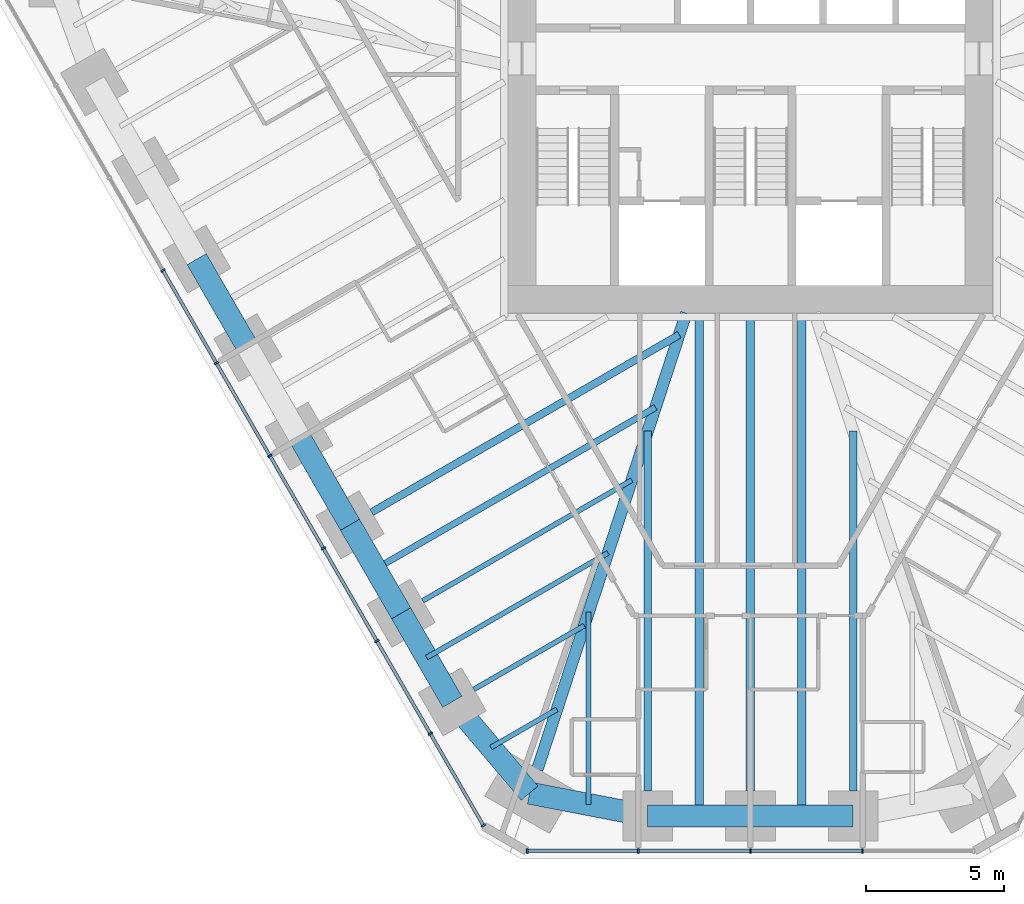
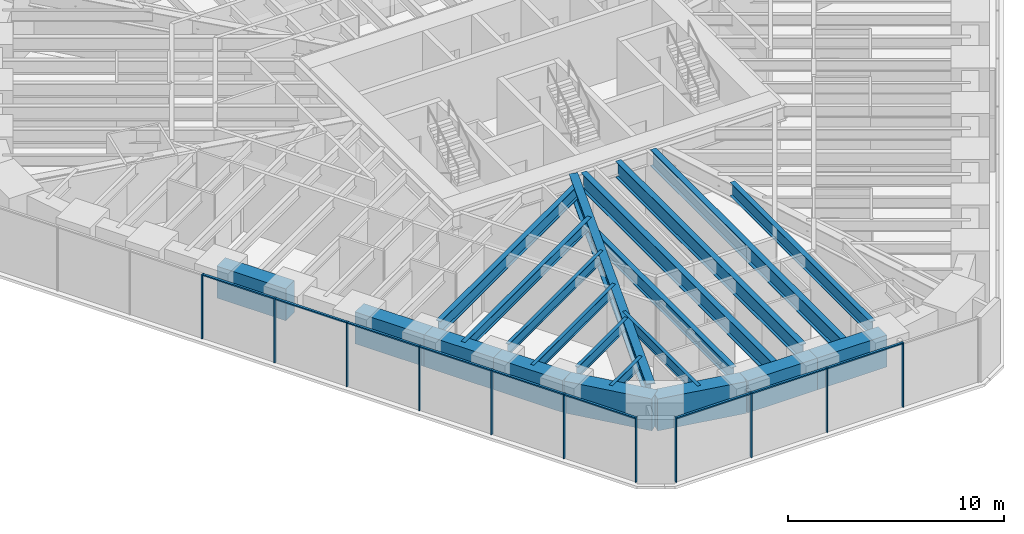
# One storey, part 2 of 16: 21 beams, 20 members, 2 elements without a shape of their own.
"""IFC4 building model written with IfcOpenShell, lengths in metres."""

from ifc_helpers import new_model, si_unit, direction, frame, origin, origin_2d, place, context, subcontext, project, spatial, rectangle, i_section, extrude, material, material_profile, profile_set, type_object, element, aggregate, save


model = new_model("IFC4")

# Units and contexts
model_context = context("Model", 3, precision=1e-05, world=origin(), true_north=direction((0.0, 1.0)))
body_context = subcontext(model_context, "Body", "Model", "MODEL_VIEW")
ifc_project = project(units=[si_unit("LENGTHUNIT", "METRE"), si_unit("AREAUNIT", "SQUARE_METRE"), si_unit("VOLUMEUNIT", "CUBIC_METRE"), si_unit("PLANEANGLEUNIT", "RADIAN"), si_unit("MASSUNIT", "GRAM", prefix="KILO")], contexts=[model_context])

# Site, building, storey
site_placement = place(None, origin())
site = spatial("IfcSite", under=ifc_project, at=site_placement, CompositionType="ELEMENT")
building_placement = place(site_placement, origin())
building = spatial("IfcBuilding", under=site, at=building_placement, Name="Sandreach Pilgrim Tower", CompositionType="ELEMENT")
storey_placement = place(building_placement, frame((0.0, 0.0, 183.199951171875)))
storey = spatial("IfcBuildingStorey", under=building, at=storey_placement, Name="L45", CompositionType="ELEMENT", Elevation=183.199951171875)

# Curtain wall, members
ifc_material_1 = material(Name="Aluminium framed curtain wall", Category="aluminium")
curtain_wall_type = type_object("IfcCurtainWallType", Name="Upper hotel tower curtain wall", PredefinedType="NOTDEFINED", material=ifc_material_1)
curtain_wall_1_placement = place(storey_placement, origin())
curtain_wall_1 = element("IfcCurtainWall", 1, at=curtain_wall_1_placement, inside=storey, type_object=curtain_wall_type, Name="CW-3 L45 S", PredefinedType="NOTDEFINED")
ifc_material_2 = material(Name="Aluminium extrusion", Category="aluminium")
ifc_material_profile_1 = material_profile(ifc_material_2, rectangle(XDim=0.06494140625, YDim=0.159912109375, at=origin_2d()), Name="CW-3M 65X160")
ifc_profile_set_1 = profile_set([ifc_material_profile_1], Name="Aluminium extrusion")
member_type_1 = type_object("IfcMemberType", Name="CW-3 mullion", PredefinedType="MULLION", material=ifc_profile_set_1)
member_1_placement = place(storey_placement, frame((4.048583984375, -26.525146484375, 0.0), z_axis=(0.0, 0.0, 1.0), x_axis=(-1.0, 0.0, 0.0)))
member_1 = element("IfcMember", 2, at=member_1_placement, type_object=member_type_1, Name="CW-3 mullion 2", PredefinedType="MULLION", context=body_context, shape_type="SweptSolid", body=[
    extrude(rectangle(XDim=0.06494140625, YDim=0.159912109375, at=origin_2d()), origin(), (0.0, 0.0, 1.0), 3.64013671875),
])
member_2_placement = place(storey_placement, frame((0.0, -26.525146484375, 0.0), z_axis=(0.0, 0.0, 1.0), x_axis=(-1.0, 0.0, 0.0)))
member_2 = element("IfcMember", 3, at=member_2_placement, type_object=member_type_1, Name="CW-3 mullion 3", PredefinedType="MULLION", context=body_context, shape_type="SweptSolid", body=[
    extrude(rectangle(XDim=0.06494140625, YDim=0.159912109375, at=origin_2d()), origin(), (0.0, 0.0, 1.0), 3.64013671875),
])
member_3_placement = place(storey_placement, frame((-4.048583984375, -26.525146484375, 0.0), z_axis=(0.0, 0.0, 1.0), x_axis=(-1.0, 0.0, 0.0)))
member_3 = element("IfcMember", 4, at=member_3_placement, type_object=member_type_1, Name="CW-3 mullion 4", PredefinedType="MULLION", context=body_context, shape_type="SweptSolid", body=[
    extrude(rectangle(XDim=0.06494140625, YDim=0.159912109375, at=origin_2d()), origin(), (0.0, 0.0, 1.0), 3.64013671875),
])
member_4_placement = place(storey_placement, frame((-8.06494140625, -26.525146484375, 0.0), z_axis=(0.0, 0.0, 1.0), x_axis=(-1.0, 0.0, 0.0)))
member_4 = element("IfcMember", 5, at=member_4_placement, type_object=member_type_1, Name="CW-3 mullion 5", PredefinedType="MULLION", context=body_context, shape_type="SweptSolid", body=[
    extrude(rectangle(XDim=0.06494140625, YDim=0.159912109375, at=origin_2d()), origin(), (0.0, 0.0, 1.0), 3.64013671875),
])

curtain_wall_2_placement = place(storey_placement, origin())
curtain_wall_2 = element("IfcCurtainWall", 6, at=curtain_wall_2_placement, inside=storey, type_object=curtain_wall_type, Name="CW-3 L45 SW", PredefinedType="NOTDEFINED")
member_5_placement = place(storey_placement, frame((-9.646484375, -25.612060546875, 0.0), z_axis=(0.0, 0.0, 1.0), x_axis=(-0.5, 0.866025403784, 0.0)))
member_5 = element("IfcMember", 7, at=member_5_placement, type_object=member_type_1, Name="CW-3 mullion 1", PredefinedType="MULLION", context=body_context, shape_type="SweptSolid", body=[
    extrude(rectangle(XDim=0.06494140625, YDim=0.159912109375, at=origin_2d()), origin(), (0.0, 0.0, 1.0), 3.64013671875),
])
member_6_placement = place(storey_placement, frame((-11.5625, -22.29345703125, 0.0), z_axis=(0.0, 0.0, 1.0), x_axis=(-0.5, 0.866025403784, 0.0)))
member_6 = element("IfcMember", 8, at=member_6_placement, type_object=member_type_1, Name="CW-3 mullion 2", PredefinedType="MULLION", context=body_context, shape_type="SweptSolid", body=[
    extrude(rectangle(XDim=0.06494140625, YDim=0.159912109375, at=origin_2d()), origin(), (0.0, 0.0, 1.0), 3.64013671875),
])
member_7_placement = place(storey_placement, frame((-13.49462890625, -18.94677734375, 0.0), z_axis=(0.0, 0.0, 1.0), x_axis=(-0.5, 0.866025403784, 0.0)))
member_7 = element("IfcMember", 9, at=member_7_placement, type_object=member_type_1, Name="CW-3 mullion 3", PredefinedType="MULLION", context=body_context, shape_type="SweptSolid", body=[
    extrude(rectangle(XDim=0.06494140625, YDim=0.159912109375, at=origin_2d()), origin(), (0.0, 0.0, 1.0), 3.64013671875),
])
member_8_placement = place(storey_placement, frame((-15.4267578125, -15.60009765625, 0.0), z_axis=(0.0, 0.0, 1.0), x_axis=(-0.5, 0.866025403784, 0.0)))
member_8 = element("IfcMember", 10, at=member_8_placement, type_object=member_type_1, Name="CW-3 mullion 4", PredefinedType="MULLION", context=body_context, shape_type="SweptSolid", body=[
    extrude(rectangle(XDim=0.06494140625, YDim=0.159912109375, at=origin_2d()), origin(), (0.0, 0.0, 1.0), 3.64013671875),
])
member_9_placement = place(storey_placement, frame((-17.359130859375, -12.25341796875, 0.0), z_axis=(0.0, 0.0, 1.0), x_axis=(-0.5, 0.866025403784, 0.0)))
member_9 = element("IfcMember", 11, at=member_9_placement, type_object=member_type_1, Name="CW-3 mullion 5", PredefinedType="MULLION", context=body_context, shape_type="SweptSolid", body=[
    extrude(rectangle(XDim=0.06494140625, YDim=0.159912109375, at=origin_2d()), origin(), (0.0, 0.0, 1.0), 3.64013671875),
])
member_10_placement = place(storey_placement, frame((-19.291259765625, -8.90673828125, 0.0), z_axis=(0.0, 0.0, 1.0), x_axis=(-0.5, 0.866025403784, 0.0)))
member_10 = element("IfcMember", 12, at=member_10_placement, type_object=member_type_1, Name="CW-3 mullion 6", PredefinedType="MULLION", context=body_context, shape_type="SweptSolid", body=[
    extrude(rectangle(XDim=0.06494140625, YDim=0.159912109375, at=origin_2d()), origin(), (0.0, 0.0, 1.0), 3.64013671875),
])
member_11_placement = place(storey_placement, frame((-21.223388671875, -5.56005859375, 0.0), z_axis=(0.0, 0.0, 1.0), x_axis=(-0.5, 0.866025403784, 0.0)))
member_11 = element("IfcMember", 13, at=member_11_placement, type_object=member_type_1, Name="CW-3 mullion 7", PredefinedType="MULLION", context=body_context, shape_type="SweptSolid", body=[
    extrude(rectangle(XDim=0.06494140625, YDim=0.159912109375, at=origin_2d()), origin(), (0.0, 0.0, 1.0), 3.64013671875),
])

# Member
ifc_material_3 = material(Name="Aluminium extrusion", Category="aluminium")
ifc_material_profile_2 = material_profile(ifc_material_3, rectangle(XDim=0.1201171875, YDim=0.070068359375, at=origin_2d()), Name="CW-3T 120X70")
ifc_profile_set_2 = profile_set([ifc_material_profile_2], Name="Aluminium extrusion")
member_type_2 = type_object("IfcMemberType", Name="CW-3 transom", PredefinedType="USERDEFINED", material=ifc_profile_set_2)
member_12_placement = place(storey_placement, frame((4.01611328125, -26.525146484375, 3.60498046875), z_axis=(-1.0, 0.0, 0.0), x_axis=(0.0, -1.0, 0.0)))
member_12 = element("IfcMember", 14, at=member_12_placement, type_object=member_type_2, Name="CW-3 head transom 2", ObjectType="TRANSOM", PredefinedType="USERDEFINED", context=body_context, shape_type="SweptSolid", body=[
    extrude(rectangle(XDim=0.1201171875, YDim=0.070068359375, at=origin_2d()), origin(), (0.0, 0.0, 1.0), 3.983642578125),
])

member_13_placement = place(storey_placement, frame((-0.032470703125, -26.525146484375, 3.60498046875), z_axis=(-1.0, 0.0, 0.0), x_axis=(0.0, -1.0, 0.0)))
member_13 = element("IfcMember", 15, at=member_13_placement, type_object=member_type_2, Name="CW-3 head transom 3", ObjectType="TRANSOM", PredefinedType="USERDEFINED", context=body_context, shape_type="SweptSolid", body=[
    extrude(rectangle(XDim=0.1201171875, YDim=0.070068359375, at=origin_2d()), origin(), (0.0, 0.0, 1.0), 3.983642578125),
])

member_14_placement = place(storey_placement, frame((-4.081298828125, -26.525146484375, 3.60498046875), z_axis=(-1.0, 0.0, 0.0), x_axis=(0.0, -1.0, 0.0)))
member_14 = element("IfcMember", 16, at=member_14_placement, type_object=member_type_2, Name="CW-3 head transom 4", ObjectType="TRANSOM", PredefinedType="USERDEFINED", context=body_context, shape_type="SweptSolid", body=[
    extrude(rectangle(XDim=0.1201171875, YDim=0.070068359375, at=origin_2d()), origin(), (0.0, 0.0, 1.0), 3.951171875),
])

aggregate(curtain_wall_1, [member_1, member_2, member_3, member_4, member_12, member_13, member_14])

member_15_placement = place(storey_placement, frame((-9.662841796875, -25.583740234375, 3.60498046875), z_axis=(-0.499973055223, 0.8660409598, 0.0), x_axis=(-0.8660409598, -0.499973055223, 0.0)))
member_15 = element("IfcMember", 17, at=member_15_placement, type_object=member_type_2, Name="CW-3 head transom 1", ObjectType="TRANSOM", PredefinedType="USERDEFINED", context=body_context, shape_type="SweptSolid", body=[
    extrude(rectangle(XDim=0.1201171875, YDim=0.070068359375, at=origin_2d()), origin(), (0.0, 0.0, 1.0), 3.766845703125),
])

member_16_placement = place(storey_placement, frame((-11.57861328125, -22.265380859375, 3.60498046875), z_axis=(-0.500022797313, 0.86601224135, 0.0), x_axis=(-0.86601224135, -0.500022797313, 0.0)))
member_16 = element("IfcMember", 18, at=member_16_placement, type_object=member_type_2, Name="CW-3 head transom 2", ObjectType="TRANSOM", PredefinedType="USERDEFINED", context=body_context, shape_type="SweptSolid", body=[
    extrude(rectangle(XDim=0.1201171875, YDim=0.070068359375, at=origin_2d()), origin(), (0.0, 0.0, 1.0), 3.799560546875),
])

member_17_placement = place(storey_placement, frame((-13.510986328125, -18.918701171875, 3.60498046875), z_axis=(-0.499974606132, 0.866040064445, 0.0), x_axis=(-0.866040064445, -0.499974606132, 0.0)))
member_17 = element("IfcMember", 19, at=member_17_placement, type_object=member_type_2, Name="CW-3 head transom 3", ObjectType="TRANSOM", PredefinedType="USERDEFINED", context=body_context, shape_type="SweptSolid", body=[
    extrude(rectangle(XDim=0.1201171875, YDim=0.070068359375, at=origin_2d()), origin(), (0.0, 0.0, 1.0), 3.799560546875),
])

member_18_placement = place(storey_placement, frame((-15.443115234375, -15.572021484375, 3.60498046875), z_axis=(-0.499974606132, 0.866040064445, 0.0), x_axis=(-0.866040064445, -0.499974606132, 0.0)))
member_18 = element("IfcMember", 20, at=member_18_placement, type_object=member_type_2, Name="CW-3 head transom 4", ObjectType="TRANSOM", PredefinedType="USERDEFINED", context=body_context, shape_type="SweptSolid", body=[
    extrude(rectangle(XDim=0.1201171875, YDim=0.070068359375, at=origin_2d()), origin(), (0.0, 0.0, 1.0), 3.799560546875),
])

member_19_placement = place(storey_placement, frame((-17.375244140625, -12.225341796875, 3.60498046875), z_axis=(-0.500022797313, 0.86601224135, 0.0), x_axis=(-0.86601224135, -0.500022797313, 0.0)))
member_19 = element("IfcMember", 21, at=member_19_placement, type_object=member_type_2, Name="CW-3 head transom 5", ObjectType="TRANSOM", PredefinedType="USERDEFINED", context=body_context, shape_type="SweptSolid", body=[
    extrude(rectangle(XDim=0.1201171875, YDim=0.070068359375, at=origin_2d()), origin(), (0.0, 0.0, 1.0), 3.799560546875),
])

member_20_placement = place(storey_placement, frame((-19.3076171875, -8.878662109375, 3.60498046875), z_axis=(-0.499974606132, 0.866040064445, 0.0), x_axis=(-0.866040064445, -0.499974606132, 0.0)))
member_20 = element("IfcMember", 22, at=member_20_placement, type_object=member_type_2, Name="CW-3 head transom 6", ObjectType="TRANSOM", PredefinedType="USERDEFINED", context=body_context, shape_type="SweptSolid", body=[
    extrude(rectangle(XDim=0.1201171875, YDim=0.070068359375, at=origin_2d()), origin(), (0.0, 0.0, 1.0), 3.799560546875),
])

aggregate(curtain_wall_2, [member_5, member_6, member_7, member_8, member_9, member_10, member_11, member_15, member_16, member_17, member_18, member_19, member_20])

# Beams
ifc_material_4 = material(Name="Steel ASTM A992 Grade 50", Category="steel")
ifc_material_profile_3 = material_profile(ifc_material_4, i_section(OverallWidth=0.421630859375, OverallDepth=0.95751953125, WebThickness=0.02587890625, FlangeThickness=0.046875, at=origin_2d()), Name="W36X330")
ifc_profile_set_3 = profile_set([ifc_material_profile_3], Name="Steel ASTM A992 Grade 50")
beam_type_1 = type_object("IfcBeamType", Name="Corner girder W36X330", PredefinedType="BEAM", material=ifc_profile_set_3)
beam_1_placement = place(storey_placement, frame((-7.69921875, -23.58642578125, 3.161376953125), z_axis=(0.310313250761, 0.950634359995, 0.0), x_axis=(-0.950634359995, 0.310313250761, 0.0)))
element("IfcBeam", 23, at=beam_1_placement, inside=storey, type_object=beam_type_1, Name="BM L45 CG26", PredefinedType="BEAM", context=body_context, shape_type="SweptSolid", body=[
    extrude(i_section(OverallWidth=0.421630859375, OverallDepth=0.95751953125, WebThickness=0.02587890625, FlangeThickness=0.046875, at=origin_2d()), origin(), (0.0, 0.0, 1.0), 17.342529296875),
])
ifc_material_5 = material(Name="Steel ASTM A992 Grade 50", Category="steel")
ifc_material_profile_4 = material_profile(ifc_material_5, i_section(OverallWidth=0.1787109375, OverallDepth=0.60205078125, WebThickness=0.010986328125, FlangeThickness=0.014892578125, at=origin_2d()), Name="W24X62")
ifc_profile_set_4 = profile_set([ifc_material_profile_4], Name="Steel ASTM A992 Grade 50")
beam_type_2 = type_object("IfcBeamType", Name="Floor beam W24X62", PredefinedType="BEAM", material=ifc_profile_set_4)
beam_2_placement = place(storey_placement, frame((-9.99267578125, -20.6923828125, 3.339111328125), z_axis=(0.866030286288, 0.49999154316, 0.0), x_axis=(-0.49999154316, 0.866030286288, 0.0)))
element("IfcBeam", 24, at=beam_2_placement, inside=storey, type_object=beam_type_2, Name="BM L45 F27", PredefinedType="BEAM", context=body_context, shape_type="SweptSolid", body=[
    extrude(i_section(OverallWidth=0.1787109375, OverallDepth=0.60205078125, WebThickness=0.010986328125, FlangeThickness=0.014892578125, at=origin_2d()), origin(), (0.0, 0.0, 1.0), 4.607421875),
])
beam_3_placement = place(storey_placement, frame((-11.8388671875, -17.49462890625, 3.339111328125), z_axis=(0.866018660621, 0.50001167932, 0.0), x_axis=(-0.50001167932, 0.866018660621, 0.0)))
element("IfcBeam", 25, at=beam_3_placement, inside=storey, type_object=beam_type_2, Name="BM L45 F28", PredefinedType="BEAM", context=body_context, shape_type="SweptSolid", body=[
    extrude(i_section(OverallWidth=0.1787109375, OverallDepth=0.60205078125, WebThickness=0.010986328125, FlangeThickness=0.014892578125, at=origin_2d()), origin(), (0.0, 0.0, 1.0), 8.719482421875),
])
beam_4_placement = place(storey_placement, frame((-5.844482421875, -24.853515625, 3.339111328125), z_axis=(0.0, 1.0, 0.0), x_axis=(-1.0, 0.0, 0.0)))
element("IfcBeam", 26, at=beam_4_placement, inside=storey, type_object=beam_type_2, Name="BM L45 FM25", PredefinedType="BEAM", context=body_context, shape_type="SweptSolid", body=[
    extrude(i_section(OverallWidth=0.1787109375, OverallDepth=0.60205078125, WebThickness=0.010986328125, FlangeThickness=0.014892578125, at=origin_2d()), origin(), (0.0, 0.0, 1.0), 6.94921875),
])
beam_5_placement = place(storey_placement, frame((-9.375244140625, -22.7919921875, 3.339111328125), z_axis=(0.866046803606, 0.49996293259, 0.0), x_axis=(-0.49996293259, 0.866046803606, 0.0)))
element("IfcBeam", 27, at=beam_5_placement, inside=storey, type_object=beam_type_2, Name="BM L45 FM26", PredefinedType="BEAM", context=body_context, shape_type="SweptSolid", body=[
    extrude(i_section(OverallWidth=0.1787109375, OverallDepth=0.60205078125, WebThickness=0.010986328125, FlangeThickness=0.014892578125, at=origin_2d()), origin(), (0.0, 0.0, 1.0), 2.753662109375),
])
beam_6_placement = place(storey_placement, frame((-11.6953125, -19.54345703125, 3.339111328125), z_axis=(0.866029704776, 0.49999255039, 0.0), x_axis=(-0.49999255039, 0.866029704776, 0.0)))
element("IfcBeam", 28, at=beam_6_placement, inside=storey, type_object=beam_type_2, Name="BM L45 FM27", PredefinedType="BEAM", context=body_context, shape_type="SweptSolid", body=[
    extrude(i_section(OverallWidth=0.1787109375, OverallDepth=0.60205078125, WebThickness=0.010986328125, FlangeThickness=0.014892578125, at=origin_2d()), origin(), (0.0, 0.0, 1.0), 7.5634765625),
])
ifc_material_6 = material(Name="Steel ASTM A992 Grade 50", Category="steel")
ifc_material_profile_5 = material_profile(ifc_material_6, i_section(OverallWidth=0.23046875, OverallDepth=0.6171875, WebThickness=0.01318359375, FlangeThickness=0.022216796875, at=origin_2d()), Name="W24X94")
ifc_profile_set_5 = profile_set([ifc_material_profile_5], Name="Steel ASTM A992 Grade 50")
beam_type_3 = type_object("IfcBeamType", Name="Floor beam W24X94", PredefinedType="BEAM", material=ifc_profile_set_5)
beam_7_placement = place(storey_placement, frame((-13.54150390625, -16.345703125, 3.33154296875), z_axis=(0.866026454974, 0.499998179282, 0.0), x_axis=(-0.499998179282, 0.866026454974, 0.0)))
element("IfcBeam", 29, at=beam_7_placement, inside=storey, type_object=beam_type_3, Name="BM L45 FM28", PredefinedType="BEAM", context=body_context, shape_type="SweptSolid", body=[
    extrude(i_section(OverallWidth=0.23046875, OverallDepth=0.6171875, WebThickness=0.01318359375, FlangeThickness=0.022216796875, at=origin_2d()), origin(), (0.0, 0.0, 1.0), 11.67578125),
])
ifc_material_7 = material(Name="Steel ASTM A992 Grade 50", Category="steel")
ifc_material_profile_6 = material_profile(ifc_material_7, i_section(OverallWidth=0.2666015625, OverallDepth=0.761962890625, WebThickness=0.014404296875, FlangeThickness=0.021484375, at=origin_2d()), Name="W30X116")
ifc_profile_set_6 = profile_set([ifc_material_profile_6], Name="Steel ASTM A992 Grade 50")
beam_type_4 = type_object("IfcBeamType", Name="Floor beam W30X116", PredefinedType="BEAM", material=ifc_profile_set_6)
for number, where, z_axis, x_axis, name in (
    (30, (3.71044921875, -24.365234375, 3.259033203125), (0.0, 1.0, 0.0), (-1.0, 0.0, 0.0), "BM L45 F23"),
    (31, (-3.71044921875, -24.365234375, 3.259033203125), (0.0, 1.0, 0.0), (-1.0, 0.0, 0.0), "BM L45 F25"),
):
    element("IfcBeam", number, at=place(storey_placement, frame(where, z_axis=z_axis, x_axis=x_axis)), inside=storey, type_object=beam_type_4, Name=name, PredefinedType="BEAM", context=body_context, shape_type="SweptSolid", body=[
        extrude(i_section(OverallWidth=0.2666015625, OverallDepth=0.761962890625, WebThickness=0.014404296875, FlangeThickness=0.021484375, at=origin_2d()), origin(), (0.0, 0.0, 1.0), 12.99853515625),
    ])
beam_8_placement = place(storey_placement, frame((-13.685302734375, -14.296630859375, 3.259033203125), z_axis=(0.866032238029, 0.499988162555, 0.0), x_axis=(-0.499988162555, 0.866032238029, 0.0)))
element("IfcBeam", 32, at=beam_8_placement, inside=storey, type_object=beam_type_4, Name="BM L45 F29", PredefinedType="BEAM", context=body_context, shape_type="SweptSolid", body=[
    extrude(i_section(OverallWidth=0.2666015625, OverallDepth=0.761962890625, WebThickness=0.014404296875, FlangeThickness=0.021484375, at=origin_2d()), origin(), (0.0, 0.0, 1.0), 12.831787109375),
])
ifc_material_8 = material(Name="Steel ASTM A992 Grade 50", Category="steel")
ifc_material_profile_7 = material_profile(ifc_material_8, i_section(OverallWidth=0.3046875, OverallDepth=0.914306640625, WebThickness=0.0166015625, FlangeThickness=0.02587890625, at=origin_2d()), Name="W36X160")
ifc_profile_set_7 = profile_set([ifc_material_profile_7], Name="Steel ASTM A992 Grade 50")
beam_type_5 = type_object("IfcBeamType", Name="Floor beam W36X160", PredefinedType="BEAM", material=ifc_profile_set_7)
beam_9_placement = place(storey_placement, frame((0.0, -24.365234375, 3.182861328125), z_axis=(0.0, 1.0, 0.0), x_axis=(-1.0, 0.0, 0.0)))
element("IfcBeam", 33, at=beam_9_placement, inside=storey, type_object=beam_type_5, Name="BM L45 F24", PredefinedType="BEAM", context=body_context, shape_type="SweptSolid", body=[
    extrude(i_section(OverallWidth=0.3046875, OverallDepth=0.914306640625, WebThickness=0.0166015625, FlangeThickness=0.02587890625, at=origin_2d()), origin(), (0.0, 0.0, 1.0), 17.121826171875),
])
for number, where, z_axis, x_axis, name in (
    (34, (1.855224609375, -25.26513671875, 3.182861328125), (0.0, 1.0, 0.0), (-1.0, 0.0, 0.0), "BM L45 FM23"),
    (35, (-1.855224609375, -25.26513671875, 3.182861328125), (0.0, 1.0, 0.0), (-1.0, 0.0, 0.0), "BM L45 FM24"),
):
    element("IfcBeam", number, at=place(storey_placement, frame(where, z_axis=z_axis, x_axis=x_axis)), inside=storey, type_object=beam_type_5, Name=name, PredefinedType="BEAM", context=body_context, shape_type="SweptSolid", body=[
        extrude(i_section(OverallWidth=0.3046875, OverallDepth=0.914306640625, WebThickness=0.0166015625, FlangeThickness=0.02587890625, at=origin_2d()), origin(), (0.0, 0.0, 1.0), 18.021728515625),
    ])
ifc_material_9 = material(Name="Concrete 10000 psi", Category="concrete")
ifc_material_profile_8 = material_profile(ifc_material_9, rectangle(XDim=0.800048828125, YDim=1.800048828125, at=origin_2d()), Name="RC800X1800")
ifc_profile_set_8 = profile_set([ifc_material_profile_8], Name="Concrete 10000 psi")
beam_type_6 = type_object("IfcBeamType", Name="Spandrel beam RC800X1800", PredefinedType="SPANDREL", material=ifc_profile_set_8)
for number, where, z_axis, x_axis, name in (
    (36, (3.71044921875, -25.26513671875, 2.739990234375), (-1.0, 0.0, 0.0), (0.0, -1.0, 0.0), "BM L45 SP23"),
    (37, (0.0, -25.26513671875, 2.739990234375), (-1.0, 0.0, 0.0), (0.0, -1.0, 0.0), "BM L45 SP24"),
):
    element("IfcBeam", number, at=place(storey_placement, frame(where, z_axis=z_axis, x_axis=x_axis)), inside=storey, type_object=beam_type_6, Name=name, PredefinedType="SPANDREL", context=body_context, shape_type="SweptSolid", body=[
        extrude(rectangle(XDim=0.800048828125, YDim=1.800048828125, at=origin_2d()), origin(), (0.0, 0.0, 1.0), 3.71044921875),
    ])
beam_10_placement = place(storey_placement, frame((-3.71044921875, -25.26513671875, 2.739990234375), z_axis=(-0.981901333807, 0.18939316426, 0.0), x_axis=(-0.18939316426, -0.981901333807, 0.0)))
element("IfcBeam", 38, at=beam_10_placement, inside=storey, type_object=beam_type_6, Name="BM L45 SP25", PredefinedType="SPANDREL", context=body_context, shape_type="SweptSolid", body=[
    extrude(rectangle(XDim=0.800048828125, YDim=1.800048828125, at=origin_2d()), origin(), (0.0, 0.0, 1.0), 4.3466796875),
])
beam_11_placement = place(storey_placement, frame((-7.978515625, -24.44189453125, 2.739990234375), z_axis=(-0.646180160755, 0.76318490541, 0.0), x_axis=(-0.76318490541, -0.646180160755, 0.0)))
element("IfcBeam", 39, at=beam_11_placement, inside=storey, type_object=beam_type_6, Name="BM L45 SP26", PredefinedType="SPANDREL", context=body_context, shape_type="SweptSolid", body=[
    extrude(rectangle(XDim=0.800048828125, YDim=1.800048828125, at=origin_2d()), origin(), (0.0, 0.0, 1.0), 4.323486328125),
])
for number, where, z_axis, x_axis, name in (
    (40, (-10.772216796875, -21.142333984375, 2.739990234375), (-0.499993363642, 0.866029235253, 0.0), (-0.866029235253, -0.499993363642, 0.0), "BM L45 SP27"),
    (41, (-12.618408203125, -17.944580078125, 2.739990234375), (-0.499993363642, 0.866029235253, 0.0), (-0.866029235253, -0.499993363642, 0.0), "BM L45 SP28"),
):
    element("IfcBeam", number, at=place(storey_placement, frame(where, z_axis=z_axis, x_axis=x_axis)), inside=storey, type_object=beam_type_6, Name=name, PredefinedType="SPANDREL", context=body_context, shape_type="SweptSolid", body=[
        extrude(rectangle(XDim=0.800048828125, YDim=1.800048828125, at=origin_2d()), origin(), (0.0, 0.0, 1.0), 3.6923828125),
    ])
beam_12_placement = place(storey_placement, frame((-14.464599609375, -14.746826171875, 2.739990234375), z_axis=(-0.49996473481, 0.866045763194, 0.0), x_axis=(-0.866045763194, -0.49996473481, 0.0)))
element("IfcBeam", 42, at=beam_12_placement, inside=storey, type_object=beam_type_6, Name="BM L45 SP29", PredefinedType="SPANDREL", context=body_context, shape_type="SweptSolid", body=[
    extrude(rectangle(XDim=0.800048828125, YDim=1.800048828125, at=origin_2d()), origin(), (0.0, 0.0, 1.0), 3.692626953125),
])
beam_13_placement = place(storey_placement, frame((-18.1572265625, -8.35107421875, 2.739990234375), z_axis=(-0.499993363642, 0.866029235253, 0.0), x_axis=(-0.866029235253, -0.499993363642, 0.0)))
element("IfcBeam", 43, at=beam_13_placement, inside=storey, type_object=beam_type_6, Name="BM L45 SP31", PredefinedType="SPANDREL", context=body_context, shape_type="SweptSolid", body=[
    extrude(rectangle(XDim=0.800048828125, YDim=1.800048828125, at=origin_2d()), origin(), (0.0, 0.0, 1.0), 3.6923828125),
])

save(model, "model.ifc")
